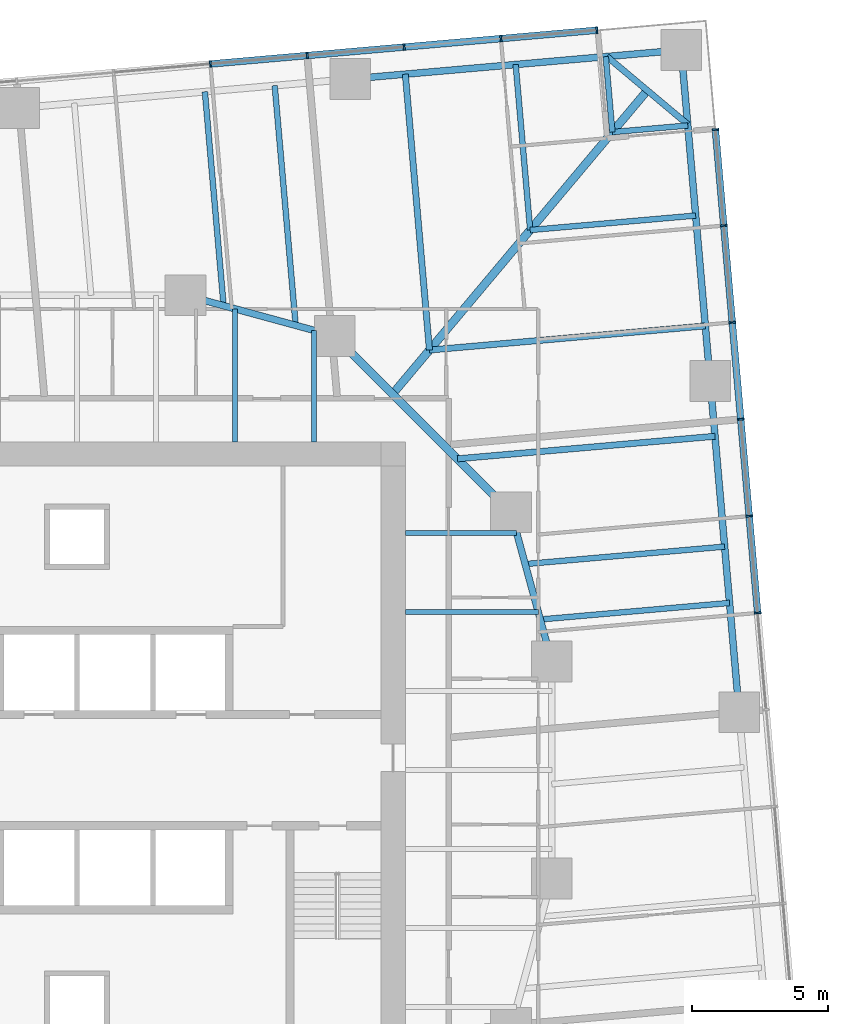
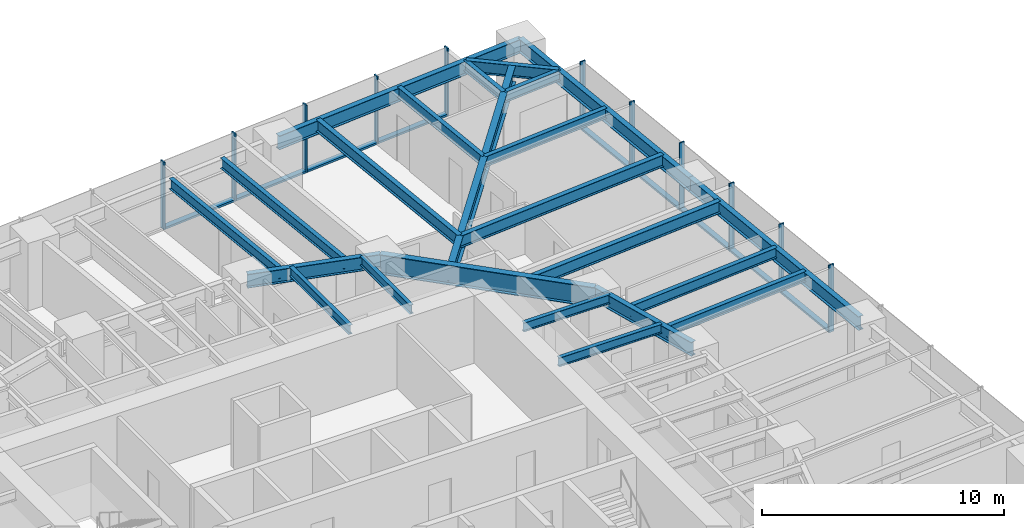
# One storey, part 6 of 14: 23 beams, 20 members, 2 elements without a shape of their own.
"""IFC4 building model written with IfcOpenShell, lengths in metres."""

from ifc_helpers import new_model, si_unit, direction, frame, origin, origin_2d, place, context, subcontext, project, spatial, rectangle, i_section, extrude, material, material_profile, profile_set, type_object, element, aggregate, save


model = new_model("IFC4")

# Units and contexts
model_context = context("Model", 3, precision=1e-05, world=origin(), true_north=direction((0.0, 1.0)))
body_context = subcontext(model_context, "Body", "Model", "MODEL_VIEW")
ifc_project = project(units=[si_unit("LENGTHUNIT", "METRE"), si_unit("AREAUNIT", "SQUARE_METRE"), si_unit("VOLUMEUNIT", "CUBIC_METRE"), si_unit("PLANEANGLEUNIT", "RADIAN"), si_unit("MASSUNIT", "GRAM", prefix="KILO")], contexts=[model_context])

# Site, building, storey
site_placement = place(None, origin())
site = spatial("IfcSite", under=ifc_project, at=site_placement, CompositionType="ELEMENT")
building_placement = place(site_placement, origin())
building = spatial("IfcBuilding", under=site, at=building_placement, Name="Torsade Residences", CompositionType="ELEMENT")
storey_placement = place(building_placement, frame((0.0, 0.0, 50.60009765625)))
storey = spatial("IfcBuildingStorey", under=building, at=storey_placement, Name="L13", CompositionType="ELEMENT", Elevation=50.60009765625)

# Beams
ifc_material_1 = material(Name="Steel grade 300", Category="steel")
ifc_material_profile_1 = material_profile(ifc_material_1, i_section(OverallWidth=0.300048828125, OverallDepth=0.89990234375, WebThickness=0.011962890625, FlangeThickness=0.02490234375, at=origin_2d()), Name="900WB175")
ifc_profile_set_1 = profile_set([ifc_material_profile_1], Name="Steel grade 300")
beam_type_1 = type_object("IfcBeamType", Name="CORNER GIRDER 900WB175", PredefinedType="BEAM", material=ifc_profile_set_1)
beam_1_placement = place(storey_placement, frame((61.021484375, 55.052490234375, 2.7998046875), z_axis=(-0.642785419012, -0.766046281307, 0.0), x_axis=(0.766046281307, -0.642785419012, 0.0)))
element("IfcBeam", 1, at=beam_1_placement, inside=storey, type_object=beam_type_1, Name="Corner girder 09 L14", PredefinedType="BEAM", context=body_context, shape_type="SweptSolid", body=[
    extrude(i_section(OverallWidth=0.300048828125, OverallDepth=0.89990234375, WebThickness=0.011962890625, FlangeThickness=0.02490234375, at=origin_2d()), origin(), (0.0, 0.0, 1.0), 14.603515625),
])
ifc_material_2 = material(Name="Steel grade 300", Category="steel")
ifc_material_profile_2 = material_profile(ifc_material_2, i_section(OverallWidth=0.22802734375, OverallDepth=0.60205078125, WebThickness=0.010498046875, FlangeThickness=0.014892578125, FilletRadius=0.013916015625, at=origin_2d()), Name="610UB101")
ifc_profile_set_2 = profile_set([ifc_material_profile_2], Name="Steel grade 300")
beam_type_2 = type_object("IfcBeamType", Name="CORNER TRIMMER 610UB101", PredefinedType="BEAM", material=ifc_profile_set_2)
beam_2_placement = place(storey_placement, frame((59.531982421875, 56.302490234375, 2.948974609375), z_axis=(0.766030001697, -0.642804819911, 0.0), x_axis=(0.642804819911, 0.766030001697, 0.0)))
element("IfcBeam", 2, at=beam_2_placement, inside=storey, type_object=beam_type_2, Name="Corner trimmer 09 L14", PredefinedType="BEAM", context=body_context, shape_type="SweptSolid", body=[
    extrude(i_section(OverallWidth=0.22802734375, OverallDepth=0.60205078125, WebThickness=0.010498046875, FlangeThickness=0.014892578125, FilletRadius=0.013916015625, at=origin_2d()), origin(), (0.0, 0.0, 1.0), 3.88916015625),
])

# Curtain wall, members
ifc_material_3 = material(Name="Aluminium and glass", Category="aluminium")
curtain_wall_type = type_object("IfcCurtainWallType", Name="FRITTED GLASS CURTAIN WALL LOW ZONE", PredefinedType="NOTDEFINED", material=ifc_material_3)
curtain_wall_1_placement = place(storey_placement, origin())
curtain_wall_1 = element("IfcCurtainWall", 3, at=curtain_wall_1_placement, inside=storey, type_object=curtain_wall_type, Name="Curtain wall L13 face 4", PredefinedType="NOTDEFINED")
ifc_material_4 = material(Name="Aluminium mullion", Category="aluminium")
ifc_material_profile_3 = material_profile(ifc_material_4, rectangle(XDim=0.25, YDim=0.06494140625, at=origin_2d()), Name="CURTAIN WALL MULLION 250x65")
ifc_profile_set_3 = profile_set([ifc_material_profile_3], Name="Aluminium mullion")
member_type_1 = type_object("IfcMemberType", Name="CURTAIN WALL MULLION 250x65", PredefinedType="MULLION", material=ifc_profile_set_3)
member_1_placement = place(storey_placement, frame((65.090576171875, 35.792236328125, 0.0), z_axis=(0.0, 0.0, 1.0), x_axis=(-0.996194697964, -0.087155744208, 0.0)))
member_1 = element("IfcMember", 4, at=member_1_placement, type_object=member_type_1, Name="Mullion 8", PredefinedType="MULLION", context=body_context, shape_type="SweptSolid", body=[
    extrude(rectangle(XDim=0.25, YDim=0.06494140625, at=origin_2d()), origin(), (0.0, 0.0, 1.0), 3.39990234375),
])
member_2_placement = place(storey_placement, frame((64.7783203125, 39.36181640625, 0.0), z_axis=(0.0, 0.0, 1.0), x_axis=(-0.996194697964, -0.087155744208, 0.0)))
member_2 = element("IfcMember", 5, at=member_2_placement, type_object=member_type_1, Name="Mullion 9", PredefinedType="MULLION", context=body_context, shape_type="SweptSolid", body=[
    extrude(rectangle(XDim=0.25, YDim=0.06494140625, at=origin_2d()), origin(), (0.0, 0.0, 1.0), 3.39990234375),
])
member_3_placement = place(storey_placement, frame((64.466064453125, 42.931640625, 0.0), z_axis=(0.0, 0.0, 1.0), x_axis=(-0.996194697964, -0.087155744208, 0.0)))
member_3 = element("IfcMember", 6, at=member_3_placement, type_object=member_type_1, Name="Mullion 10", PredefinedType="MULLION", context=body_context, shape_type="SweptSolid", body=[
    extrude(rectangle(XDim=0.25, YDim=0.06494140625, at=origin_2d()), origin(), (0.0, 0.0, 1.0), 3.39990234375),
])
member_4_placement = place(storey_placement, frame((64.15380859375, 46.501220703125, 0.0), z_axis=(0.0, 0.0, 1.0), x_axis=(-0.996194697964, -0.087155744208, 0.0)))
member_4 = element("IfcMember", 7, at=member_4_placement, type_object=member_type_1, Name="Mullion 11", PredefinedType="MULLION", context=body_context, shape_type="SweptSolid", body=[
    extrude(rectangle(XDim=0.25, YDim=0.06494140625, at=origin_2d()), origin(), (0.0, 0.0, 1.0), 3.39990234375),
])
member_5_placement = place(storey_placement, frame((63.84130859375, 50.071044921875, 0.0), z_axis=(0.0, 0.0, 1.0), x_axis=(-0.996194697964, -0.087155744208, 0.0)))
member_5 = element("IfcMember", 8, at=member_5_placement, type_object=member_type_1, Name="Mullion 12", PredefinedType="MULLION", context=body_context, shape_type="SweptSolid", body=[
    extrude(rectangle(XDim=0.25, YDim=0.06494140625, at=origin_2d()), origin(), (0.0, 0.0, 1.0), 3.39990234375),
])
member_6_placement = place(storey_placement, frame((63.531982421875, 53.6083984375, 0.0), z_axis=(0.0, 0.0, 1.0), x_axis=(-0.996194697964, -0.087155744208, 0.0)))
member_6 = element("IfcMember", 9, at=member_6_placement, type_object=member_type_1, Name="Mullion 13", PredefinedType="MULLION", context=body_context, shape_type="SweptSolid", body=[
    extrude(rectangle(XDim=0.25, YDim=0.06494140625, at=origin_2d()), origin(), (0.0, 0.0, 1.0), 3.39990234375),
])

curtain_wall_2_placement = place(storey_placement, origin())
curtain_wall_2 = element("IfcCurtainWall", 10, at=curtain_wall_2_placement, inside=storey, type_object=curtain_wall_type, Name="Curtain wall L13 face 7", PredefinedType="NOTDEFINED")
member_7_placement = place(storey_placement, frame((59.163330078125, 57.27392578125, 0.0), z_axis=(0.0, 0.0, 1.0), x_axis=(0.087155744208, -0.996194697964, 0.0)))
member_7 = element("IfcMember", 11, at=member_7_placement, type_object=member_type_1, Name="Mullion 1", PredefinedType="MULLION", context=body_context, shape_type="SweptSolid", body=[
    extrude(rectangle(XDim=0.25, YDim=0.06494140625, at=origin_2d()), origin(), (0.0, 0.0, 1.0), 3.39990234375),
])
member_8_placement = place(storey_placement, frame((55.6259765625, 56.964599609375, 0.0), z_axis=(0.0, 0.0, 1.0), x_axis=(0.087155744208, -0.996194697964, 0.0)))
member_8 = element("IfcMember", 12, at=member_8_placement, type_object=member_type_1, Name="Mullion 2", PredefinedType="MULLION", context=body_context, shape_type="SweptSolid", body=[
    extrude(rectangle(XDim=0.25, YDim=0.06494140625, at=origin_2d()), origin(), (0.0, 0.0, 1.0), 3.39990234375),
])
member_9_placement = place(storey_placement, frame((52.056396484375, 56.652099609375, 0.0), z_axis=(0.0, 0.0, 1.0), x_axis=(0.087155744208, -0.996194697964, 0.0)))
member_9 = element("IfcMember", 13, at=member_9_placement, type_object=member_type_1, Name="Mullion 3", PredefinedType="MULLION", context=body_context, shape_type="SweptSolid", body=[
    extrude(rectangle(XDim=0.25, YDim=0.06494140625, at=origin_2d()), origin(), (0.0, 0.0, 1.0), 3.39990234375),
])
member_10_placement = place(storey_placement, frame((48.486572265625, 56.33984375, 0.0), z_axis=(0.0, 0.0, 1.0), x_axis=(0.087155744208, -0.996194697964, 0.0)))
member_10 = element("IfcMember", 14, at=member_10_placement, type_object=member_type_1, Name="Mullion 4", PredefinedType="MULLION", context=body_context, shape_type="SweptSolid", body=[
    extrude(rectangle(XDim=0.25, YDim=0.06494140625, at=origin_2d()), origin(), (0.0, 0.0, 1.0), 3.39990234375),
])
member_11_placement = place(storey_placement, frame((44.9169921875, 56.027587890625, 0.0), z_axis=(0.0, 0.0, 1.0), x_axis=(0.087155744208, -0.996194697964, 0.0)))
member_11 = element("IfcMember", 15, at=member_11_placement, type_object=member_type_1, Name="Mullion 5", PredefinedType="MULLION", context=body_context, shape_type="SweptSolid", body=[
    extrude(rectangle(XDim=0.25, YDim=0.06494140625, at=origin_2d()), origin(), (0.0, 0.0, 1.0), 3.39990234375),
])

# Member
ifc_material_5 = material(Name="Aluminium transom", Category="aluminium")
ifc_material_profile_4 = material_profile(ifc_material_5, rectangle(XDim=0.25, YDim=0.10009765625, at=origin_2d()), Name="CURTAIN WALL TRANSOM 250x100")
ifc_profile_set_4 = profile_set([ifc_material_profile_4], Name="Aluminium transom")
member_type_2 = type_object("IfcMemberType", Name="CURTAIN WALL TRANSOM 250x100", PredefinedType="USERDEFINED", material=ifc_profile_set_4)
member_12_placement = place(storey_placement, frame((65.087890625, 35.824462890625, 0.0498046875), z_axis=(-0.08715059597, 0.996195148363, 0.0), x_axis=(-0.996195148363, -0.08715059597, 0.0)))
member_12 = element("IfcMember", 16, at=member_12_placement, type_object=member_type_2, Name="Transom 8.1", ObjectType="TRANSOM", PredefinedType="USERDEFINED", context=body_context, shape_type="SweptSolid", body=[
    extrude(rectangle(XDim=0.25, YDim=0.10009765625, at=origin_2d()), origin(), (0.0, 0.0, 1.0), 3.5185546875),
])

member_13_placement = place(storey_placement, frame((64.775634765625, 39.394287109375, 0.0498046875), z_axis=(-0.087156620531, 0.996194621295, 0.0), x_axis=(-0.996194621295, -0.087156620531, 0.0)))
member_13 = element("IfcMember", 17, at=member_13_placement, type_object=member_type_2, Name="Transom 9.1", ObjectType="TRANSOM", PredefinedType="USERDEFINED", context=body_context, shape_type="SweptSolid", body=[
    extrude(rectangle(XDim=0.25, YDim=0.10009765625, at=origin_2d()), origin(), (0.0, 0.0, 1.0), 3.518310546875),
])

member_14_placement = place(storey_placement, frame((64.463134765625, 42.9638671875, 0.0498046875), z_axis=(-0.08715059597, 0.996195148363, 0.0), x_axis=(-0.996195148363, -0.08715059597, 0.0)))
member_14 = element("IfcMember", 18, at=member_14_placement, type_object=member_type_2, Name="Transom 10.1", ObjectType="TRANSOM", PredefinedType="USERDEFINED", context=body_context, shape_type="SweptSolid", body=[
    extrude(rectangle(XDim=0.25, YDim=0.10009765625, at=origin_2d()), origin(), (0.0, 0.0, 1.0), 3.5185546875),
])

member_15_placement = place(storey_placement, frame((64.15087890625, 46.53369140625, 0.0498046875), z_axis=(-0.087156620531, 0.996194621295, 0.0), x_axis=(-0.996194621295, -0.087156620531, 0.0)))
member_15 = element("IfcMember", 19, at=member_15_placement, type_object=member_type_2, Name="Transom 11.1", ObjectType="TRANSOM", PredefinedType="USERDEFINED", context=body_context, shape_type="SweptSolid", body=[
    extrude(rectangle(XDim=0.25, YDim=0.10009765625, at=origin_2d()), origin(), (0.0, 0.0, 1.0), 3.518310546875),
])

member_16_placement = place(storey_placement, frame((63.838623046875, 50.103271484375, 0.0498046875), z_axis=(-0.08719475177, 0.996191284475, 0.0), x_axis=(-0.996191284475, -0.08719475177, 0.0)))
member_16 = element("IfcMember", 20, at=member_16_placement, type_object=member_type_2, Name="Transom 12.1", ObjectType="TRANSOM", PredefinedType="USERDEFINED", context=body_context, shape_type="SweptSolid", body=[
    extrude(rectangle(XDim=0.25, YDim=0.10009765625, at=origin_2d()), origin(), (0.0, 0.0, 1.0), 3.48583984375),
])

aggregate(curtain_wall_1, [member_1, member_2, member_3, member_4, member_5, member_6, member_12, member_13, member_14, member_15, member_16])

member_17_placement = place(storey_placement, frame((59.130859375, 57.271240234375, 0.0498046875), z_axis=(-0.996190751941, -0.0872008357, 0.0), x_axis=(0.0872008357, -0.996190751941, 0.0)))
member_17 = element("IfcMember", 21, at=member_17_placement, type_object=member_type_2, Name="Transom 1.1", ObjectType="TRANSOM", PredefinedType="USERDEFINED", context=body_context, shape_type="SweptSolid", body=[
    extrude(rectangle(XDim=0.25, YDim=0.10009765625, at=origin_2d()), origin(), (0.0, 0.0, 1.0), 3.485595703125),
])

member_18_placement = place(storey_placement, frame((55.59375, 56.961669921875, 0.0498046875), z_axis=(-0.996195148363, -0.08715059597, 0.0), x_axis=(0.08715059597, -0.996195148363, 0.0)))
member_18 = element("IfcMember", 22, at=member_18_placement, type_object=member_type_2, Name="Transom 2.1", ObjectType="TRANSOM", PredefinedType="USERDEFINED", context=body_context, shape_type="SweptSolid", body=[
    extrude(rectangle(XDim=0.25, YDim=0.10009765625, at=origin_2d()), origin(), (0.0, 0.0, 1.0), 3.5185546875),
])

member_19_placement = place(storey_placement, frame((52.02392578125, 56.6494140625, 0.0498046875), z_axis=(-0.996194621295, -0.087156620531, 0.0), x_axis=(0.087156620531, -0.996194621295, 0.0)))
member_19 = element("IfcMember", 23, at=member_19_placement, type_object=member_type_2, Name="Transom 3.1", ObjectType="TRANSOM", PredefinedType="USERDEFINED", context=body_context, shape_type="SweptSolid", body=[
    extrude(rectangle(XDim=0.25, YDim=0.10009765625, at=origin_2d()), origin(), (0.0, 0.0, 1.0), 3.518310546875),
])

member_20_placement = place(storey_placement, frame((48.454345703125, 56.337158203125, 0.0498046875), z_axis=(-0.996195148363, -0.08715059597, 0.0), x_axis=(0.08715059597, -0.996195148363, 0.0)))
member_20 = element("IfcMember", 24, at=member_20_placement, type_object=member_type_2, Name="Transom 4.1", ObjectType="TRANSOM", PredefinedType="USERDEFINED", context=body_context, shape_type="SweptSolid", body=[
    extrude(rectangle(XDim=0.25, YDim=0.10009765625, at=origin_2d()), origin(), (0.0, 0.0, 1.0), 3.5185546875),
])

aggregate(curtain_wall_2, [member_7, member_8, member_9, member_10, member_11, member_17, member_18, member_19, member_20])

# Beams
ifc_material_6 = material(Name="Steel grade 300", Category="steel")
ifc_material_profile_5 = material_profile(ifc_material_6, i_section(OverallWidth=0.25, OverallDepth=0.699951171875, WebThickness=0.010009765625, FlangeThickness=0.02001953125, at=origin_2d()), Name="700WB130")
ifc_profile_set_5 = profile_set([ifc_material_profile_5], Name="Steel grade 300")
beam_type_3 = type_object("IfcBeamType", Name="EDGE BEAM 700WB130", PredefinedType="SPANDREL", material=ifc_profile_set_5)
for number, where, z_axis, x_axis, name in (
    (25, (64.40673828125, 32.13525390625, 2.89990234375), (-0.08715335259, 0.996194907201, 0.0), (-0.996194907201, -0.08715335259, 0.0), "Edge beam 07 L14"),
    (26, (63.339111328125, 44.338623046875, 2.89990234375), (-0.08715335259, 0.996194907201, 0.0), (-0.996194907201, -0.08715335259, 0.0), "Edge beam 08 L14"),
    (27, (62.271484375, 56.5419921875, 2.89990234375), (-0.996194907201, -0.08715335259, 0.0), (0.08715335259, -0.996194907201, 0.0), "Edge beam 09 L14"),
):
    element("IfcBeam", number, at=place(storey_placement, frame(where, z_axis=z_axis, x_axis=x_axis)), inside=storey, type_object=beam_type_3, Name=name, PredefinedType="SPANDREL", context=body_context, shape_type="SweptSolid", body=[
        extrude(i_section(OverallWidth=0.25, OverallDepth=0.699951171875, WebThickness=0.010009765625, FlangeThickness=0.02001953125, at=origin_2d()), origin(), (0.0, 0.0, 1.0), 12.25),
    ])
ifc_material_7 = material(Name="Steel grade 300", Category="steel")
ifc_material_profile_6 = material_profile(ifc_material_7, i_section(OverallWidth=0.18994140625, OverallDepth=0.4541015625, WebThickness=0.008544921875, FlangeThickness=0.0126953125, FilletRadius=0.011474609375, at=origin_2d()), Name="460UB67.1")
ifc_profile_set_6 = profile_set([ifc_material_profile_6], Name="Steel grade 300")
beam_type_4 = type_object("IfcBeamType", Name="INNER FLOOR BEAM 460UB67.1", PredefinedType="JOIST", material=ifc_profile_set_6)
beam_3_placement = place(storey_placement, frame((45.824951171875, 42.10009765625, 3.02294921875), z_axis=(0.0, 1.0, 0.0), x_axis=(-1.0, 0.0, 0.0)))
element("IfcBeam", 28, at=beam_3_placement, inside=storey, type_object=beam_type_4, Name="Inner floor beam IN06 L14", PredefinedType="JOIST", context=body_context, shape_type="SweptSolid", body=[
    extrude(i_section(OverallWidth=0.18994140625, OverallDepth=0.4541015625, WebThickness=0.008544921875, FlangeThickness=0.0126953125, FilletRadius=0.011474609375, at=origin_2d()), origin(), (0.0, 0.0, 1.0), 4.902099609375),
])
beam_4_placement = place(storey_placement, frame((48.737548828125, 42.10009765625, 3.02294921875), z_axis=(0.0, 1.0, 0.0), x_axis=(-1.0, 0.0, 0.0)))
element("IfcBeam", 29, at=beam_4_placement, inside=storey, type_object=beam_type_4, Name="Inner floor beam IN07 L14", PredefinedType="JOIST", context=body_context, shape_type="SweptSolid", body=[
    extrude(i_section(OverallWidth=0.18994140625, OverallDepth=0.4541015625, WebThickness=0.008544921875, FlangeThickness=0.0126953125, FilletRadius=0.011474609375, at=origin_2d()), origin(), (0.0, 0.0, 1.0), 4.10791015625),
])
beam_5_placement = place(storey_placement, frame((52.10009765625, 35.824951171875, 3.02294921875), z_axis=(1.0, 0.0, 0.0), x_axis=(0.0, 1.0, 0.0)))
element("IfcBeam", 30, at=beam_5_placement, inside=storey, type_object=beam_type_4, Name="Inner floor beam IE06 L14", PredefinedType="JOIST", context=body_context, shape_type="SweptSolid", body=[
    extrude(i_section(OverallWidth=0.18994140625, OverallDepth=0.4541015625, WebThickness=0.008544921875, FlangeThickness=0.0126953125, FilletRadius=0.011474609375, at=origin_2d()), origin(), (0.0, 0.0, 1.0), 4.902099609375),
])
beam_6_placement = place(storey_placement, frame((52.10009765625, 38.737548828125, 3.02294921875), z_axis=(1.0, 0.0, 0.0), x_axis=(0.0, 1.0, 0.0)))
element("IfcBeam", 31, at=beam_6_placement, inside=storey, type_object=beam_type_4, Name="Inner floor beam IE07 L14", PredefinedType="JOIST", context=body_context, shape_type="SweptSolid", body=[
    extrude(i_section(OverallWidth=0.18994140625, OverallDepth=0.4541015625, WebThickness=0.008544921875, FlangeThickness=0.0126953125, FilletRadius=0.011474609375, at=origin_2d()), origin(), (0.0, 0.0, 1.0), 4.10791015625),
])
ifc_material_8 = material(Name="Steel grade 300", Category="steel")
ifc_material_profile_7 = material_profile(ifc_material_8, i_section(OverallWidth=0.300048828125, OverallDepth=1.0, WebThickness=0.01611328125, FlangeThickness=0.028076171875, at=origin_2d()), Name="1000WB215")
ifc_profile_set_7 = profile_set([ifc_material_profile_7], Name="Steel grade 300")
beam_type_5 = type_object("IfcBeamType", Name="RING CORNER GIRDER 1000WB215", PredefinedType="BEAM", material=ifc_profile_set_7)
beam_7_placement = place(storey_placement, frame((56.0, 39.5, 2.75), z_axis=(-0.707106781187, 0.707106781187, 0.0), x_axis=(-0.707106781187, -0.707106781187, 0.0)))
element("IfcBeam", 32, at=beam_7_placement, inside=storey, type_object=beam_type_5, Name="Ring girder IR03 L14", PredefinedType="BEAM", context=body_context, shape_type="SweptSolid", body=[
    extrude(i_section(OverallWidth=0.300048828125, OverallDepth=1.0, WebThickness=0.01611328125, FlangeThickness=0.028076171875, at=origin_2d()), origin(), (0.0, 0.0, 1.0), 9.1923828125),
])
ifc_material_9 = material(Name="Steel grade 300", Category="steel")
ifc_material_profile_8 = material_profile(ifc_material_9, i_section(OverallWidth=0.25, OverallDepth=0.699951171875, WebThickness=0.010009765625, FlangeThickness=0.02001953125, at=origin_2d()), Name="700WB130")
ifc_profile_set_8 = profile_set([ifc_material_profile_8], Name="Steel grade 300")
beam_type_6 = type_object("IfcBeamType", Name="RING GIRDER 700WB130", PredefinedType="BEAM", material=ifc_profile_set_8)
for number, where, z_axis, x_axis, name in (
    (33, (57.5, 34.0, 2.89990234375), (-0.263117405792, 0.964763821238, 0.0), (-0.964763821238, -0.263117405792, 0.0), "Ring girder IR02 L14"),
    (34, (49.5, 46.0, 2.89990234375), (-0.964763821238, 0.263117405792, 0.0), (-0.263117405792, -0.964763821238, 0.0), "Ring girder IR04 L14"),
):
    element("IfcBeam", number, at=place(storey_placement, frame(where, z_axis=z_axis, x_axis=x_axis)), inside=storey, type_object=beam_type_6, Name=name, PredefinedType="BEAM", context=body_context, shape_type="SweptSolid", body=[
        extrude(i_section(OverallWidth=0.25, OverallDepth=0.699951171875, WebThickness=0.010009765625, FlangeThickness=0.02001953125, at=origin_2d()), origin(), (0.0, 0.0, 1.0), 5.700927734375),
    ])
ifc_material_10 = material(Name="Steel grade 300", Category="steel")
ifc_material_profile_9 = material_profile(ifc_material_10, i_section(OverallWidth=0.208984375, OverallDepth=0.528076171875, WebThickness=0.009521484375, FlangeThickness=0.01318359375, FilletRadius=0.013916015625, at=origin_2d()), Name="530UB82.0")
ifc_profile_set_9 = profile_set([ifc_material_profile_9], Name="Steel grade 300")
beam_type_7 = type_object("IfcBeamType", Name="SECONDARY BEAM 530UB82.0", PredefinedType="JOIST", material=ifc_profile_set_9)
beam_8_placement = place(storey_placement, frame((64.054443359375, 36.16162109375, 2.98583984375), z_axis=(-0.99619296077, -0.087175598142, 0.0), x_axis=(0.087175598142, -0.99619296077, 0.0)))
element("IfcBeam", 35, at=beam_8_placement, inside=storey, type_object=beam_type_7, Name="Floor beam FE07 L14", PredefinedType="JOIST", context=body_context, shape_type="SweptSolid", body=[
    extrude(i_section(OverallWidth=0.208984375, OverallDepth=0.528076171875, WebThickness=0.009521484375, FlangeThickness=0.01318359375, FilletRadius=0.013916015625, at=origin_2d()), origin(), (0.0, 0.0, 1.0), 7.004150390625),
])
beam_9_placement = place(storey_placement, frame((63.873046875, 38.237060546875, 2.98583984375), z_axis=(-0.996194650902, -0.087156282128, 0.0), x_axis=(0.087156282128, -0.996194650902, 0.0)))
element("IfcBeam", 36, at=beam_9_placement, inside=storey, type_object=beam_type_7, Name="Floor beam FE08 L14", PredefinedType="JOIST", context=body_context, shape_type="SweptSolid", body=[
    extrude(i_section(OverallWidth=0.208984375, OverallDepth=0.528076171875, WebThickness=0.009521484375, FlangeThickness=0.01318359375, FilletRadius=0.013916015625, at=origin_2d()), origin(), (0.0, 0.0, 1.0), 7.381103515625),
])
beam_10_placement = place(storey_placement, frame((62.80517578125, 50.4404296875, 2.98583984375), z_axis=(-0.996193025206, -0.087174861801, 0.0), x_axis=(0.087174861801, -0.996193025206, 0.0)))
element("IfcBeam", 37, at=beam_10_placement, inside=storey, type_object=beam_type_7, Name="Floor beam FE11 L14", PredefinedType="JOIST", context=body_context, shape_type="SweptSolid", body=[
    extrude(i_section(OverallWidth=0.208984375, OverallDepth=0.528076171875, WebThickness=0.009521484375, FlangeThickness=0.01318359375, FilletRadius=0.013916015625, at=origin_2d()), origin(), (0.0, 0.0, 1.0), 6.125),
])
for number, where, z_axis, x_axis, name in (
    (38, (62.5146484375, 53.760986328125, 2.98583984375), (-0.996199126418, -0.087105111923, 0.0), (0.087105111923, -0.996199126418, 0.0), "Floor beam FE12 L14"),
    (39, (59.490478515625, 56.298828125, 2.98583984375), (0.087105111923, -0.996199126418, 0.0), (0.996199126418, 0.087105111923, 0.0), "Floor beam FN01 L14"),
):
    element("IfcBeam", number, at=place(storey_placement, frame(where, z_axis=z_axis, x_axis=x_axis)), inside=storey, type_object=beam_type_7, Name=name, PredefinedType="JOIST", context=body_context, shape_type="SweptSolid", body=[
        extrude(i_section(OverallWidth=0.208984375, OverallDepth=0.528076171875, WebThickness=0.009521484375, FlangeThickness=0.01318359375, FilletRadius=0.013916015625, at=origin_2d()), origin(), (0.0, 0.0, 1.0), 2.79150390625),
    ])
beam_11_placement = place(storey_placement, frame((56.169677734375, 56.00830078125, 2.98583984375), z_axis=(0.087171400335, -0.996193328106, 0.0), x_axis=(0.996193328106, 0.087171400335, 0.0)))
element("IfcBeam", 40, at=beam_11_placement, inside=storey, type_object=beam_type_7, Name="Floor beam FN02 L14", PredefinedType="JOIST", context=body_context, shape_type="SweptSolid", body=[
    extrude(i_section(OverallWidth=0.208984375, OverallDepth=0.528076171875, WebThickness=0.009521484375, FlangeThickness=0.01318359375, FilletRadius=0.013916015625, at=origin_2d()), origin(), (0.0, 0.0, 1.0), 6.125244140625),
])
beam_12_placement = place(storey_placement, frame((47.287109375, 55.231201171875, 2.98583984375), z_axis=(0.08714612802, -0.996195539225, 0.0), x_axis=(0.996195539225, 0.08714612802, 0.0)))
element("IfcBeam", 41, at=beam_12_placement, inside=storey, type_object=beam_type_7, Name="Floor beam FN04 L14", PredefinedType="JOIST", context=body_context, shape_type="SweptSolid", body=[
    extrude(i_section(OverallWidth=0.208984375, OverallDepth=0.528076171875, WebThickness=0.009521484375, FlangeThickness=0.01318359375, FilletRadius=0.013916015625, at=origin_2d()), origin(), (0.0, 0.0, 1.0), 8.872314453125),
])
beam_13_placement = place(storey_placement, frame((44.713623046875, 55.005859375, 2.98583984375), z_axis=(0.087157771408, -0.996194520605, 0.0), x_axis=(0.996194520605, 0.087157771408, 0.0)))
element("IfcBeam", 42, at=beam_13_placement, inside=storey, type_object=beam_type_7, Name="Floor beam FN05 L14", PredefinedType="JOIST", context=body_context, shape_type="SweptSolid", body=[
    extrude(i_section(OverallWidth=0.208984375, OverallDepth=0.528076171875, WebThickness=0.009521484375, FlangeThickness=0.01318359375, FilletRadius=0.013916015625, at=origin_2d()), origin(), (0.0, 0.0, 1.0), 7.918701171875),
])
ifc_material_11 = material(Name="Steel grade 300", Category="steel")
ifc_material_profile_10 = material_profile(ifc_material_11, i_section(OverallWidth=0.22900390625, OverallDepth=0.612060546875, WebThickness=0.011962890625, FlangeThickness=0.01953125, FilletRadius=0.013916015625, at=origin_2d()), Name="610UB125")
ifc_profile_set_10 = profile_set([ifc_material_profile_10], Name="Steel grade 300")
beam_type_8 = type_object("IfcBeamType", Name="SECONDARY BEAM 610UB125", PredefinedType="JOIST", material=ifc_profile_set_10)
beam_14_placement = place(storey_placement, frame((63.51708984375, 42.3046875, 2.94384765625), z_axis=(-0.996195358323, -0.087148195942, 0.0), x_axis=(0.087148195942, -0.996195358323, 0.0)))
element("IfcBeam", 43, at=beam_14_placement, inside=storey, type_object=beam_type_8, Name="Floor beam FE09 L14", PredefinedType="JOIST", context=body_context, shape_type="SweptSolid", body=[
    extrude(i_section(OverallWidth=0.22900390625, OverallDepth=0.612060546875, WebThickness=0.011962890625, FlangeThickness=0.01953125, FilletRadius=0.013916015625, at=origin_2d()), origin(), (0.0, 0.0, 1.0), 9.527587890625),
])
for number, where, z_axis, x_axis, name in (
    (44, (63.1611328125, 46.37255859375, 2.94384765625), (-0.996195222988, -0.087149742944, 0.0), (0.087149742944, -0.996195222988, 0.0), "Floor beam FE10 L14"),
    (45, (52.10205078125, 55.65234375, 2.94384765625), (0.087149742944, -0.996195222988, 0.0), (0.996195222988, 0.087149742944, 0.0), "Floor beam FN03 L14"),
):
    element("IfcBeam", number, at=place(storey_placement, frame(where, z_axis=z_axis, x_axis=x_axis)), inside=storey, type_object=beam_type_8, Name=name, PredefinedType="JOIST", context=body_context, shape_type="SweptSolid", body=[
        extrude(i_section(OverallWidth=0.22900390625, OverallDepth=0.612060546875, WebThickness=0.011962890625, FlangeThickness=0.01953125, FilletRadius=0.013916015625, at=origin_2d()), origin(), (0.0, 0.0, 1.0), 10.208251953125),
    ])

save(model, "model.ifc")
